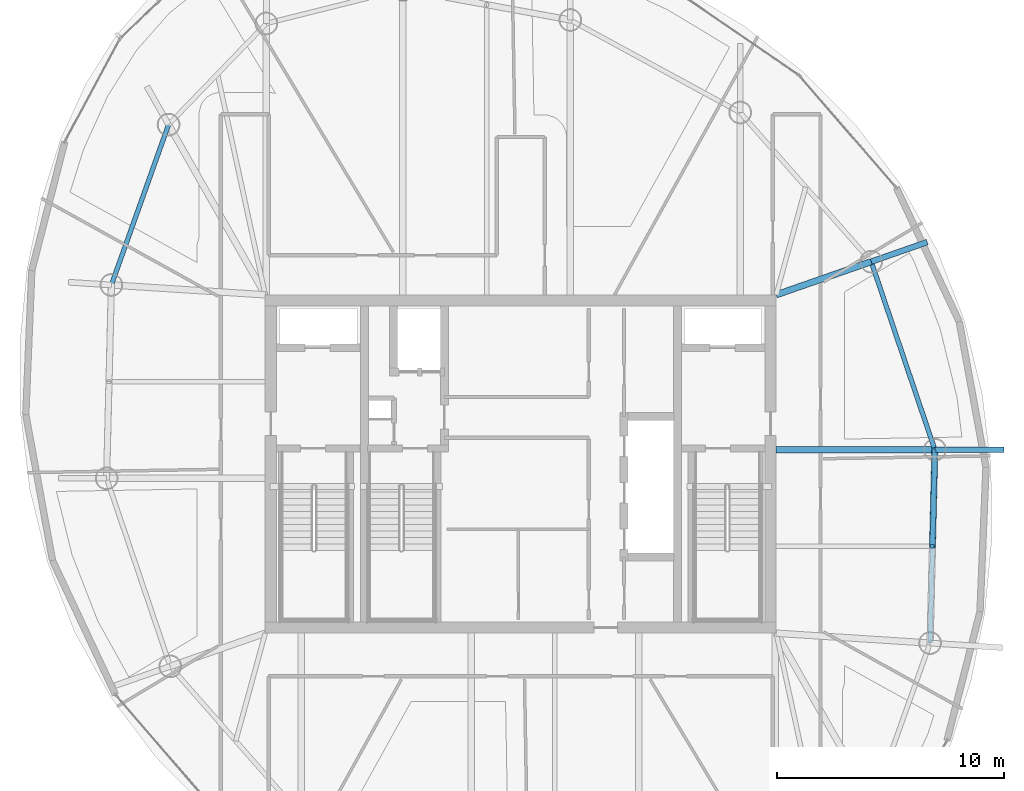
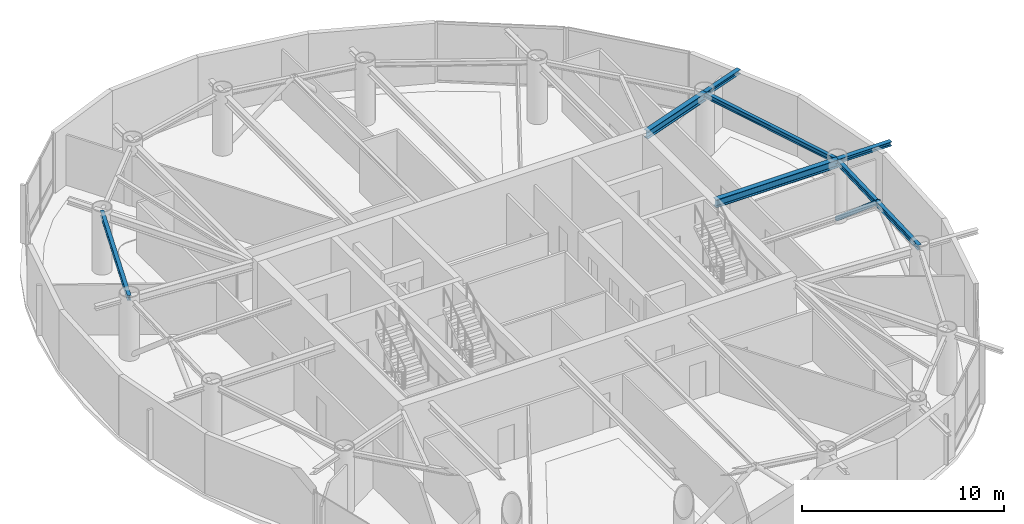
# One storey, part 6 of 16: 7 beams, 1 member.
"""IFC4 building model written with IfcOpenShell, lengths in metres."""

from ifc_helpers import new_model, si_unit, direction, frame, origin, origin_2d, place, context, subcontext, project, spatial, hollow_circle, i_section, extrude, material, material_profile, profile_set, type_object, element, save


model = new_model("IFC4")

# Units and contexts
model_context = context("Model", 3, precision=1e-05, world=origin(), true_north=direction((0.0, 1.0)))
body_context = subcontext(model_context, "Body", "Model", "MODEL_VIEW")
ifc_project = project(units=[si_unit("LENGTHUNIT", "METRE"), si_unit("AREAUNIT", "SQUARE_METRE"), si_unit("VOLUMEUNIT", "CUBIC_METRE"), si_unit("PLANEANGLEUNIT", "RADIAN"), si_unit("MASSUNIT", "GRAM", prefix="KILO")], contexts=[model_context])

# Site, building, storey
site_placement = place(None, origin())
site = spatial("IfcSite", under=ifc_project, at=site_placement, CompositionType="ELEMENT")
building_placement = place(site_placement, origin())
building = spatial("IfcBuilding", under=site, at=building_placement, Name="Bramvorn Convention Spire", CompositionType="ELEMENT")
storey_placement = place(building_placement, frame((0.0, 0.0, 261.300048828125)))
storey = spatial("IfcBuildingStorey", under=building, at=storey_placement, Name="L66", CompositionType="ELEMENT", Elevation=261.300048828125)

# Beams
ifc_material = material(Name="Steel CSA G40.21 Grade 350 (350W)", Category="steel")
ifc_material_profile_1 = material_profile(ifc_material, i_section(OverallWidth=0.25390625, OverallDepth=0.2529296875, WebThickness=0.008544921875, FlangeThickness=0.01416015625, FilletRadius=0.011962890625, at=origin_2d()))
ifc_profile_set_1 = profile_set([ifc_material_profile_1], Name="Steel CSA G40.21 Grade 350 (350W) - W250X73")
beam_type_1 = type_object("IfcBeamType", Name="BM-W250X73", PredefinedType="BEAM", material=ifc_profile_set_1)
beam_1_placement = place(storey_placement, frame((56.234619140625, 26.62939453125, 3.49853515625), z_axis=(1.0, 0.0, 0.0), x_axis=(0.0, 1.0, 0.0)))
element("IfcBeam", 1, at=beam_1_placement, inside=storey, type_object=beam_type_1, Name="L66 slab-edge cantilever tip beam MC04", PredefinedType="BEAM", context=body_context, shape_type="SweptSolid", body=[
    extrude(i_section(OverallWidth=0.25390625, OverallDepth=0.2529296875, WebThickness=0.008544921875, FlangeThickness=0.01416015625, FilletRadius=0.011962890625, at=origin_2d()), origin(), (0.0, 0.0, 1.0), 3.04443359375),
])
beam_2_placement = place(storey_placement, frame((53.4326171875, 34.909912109375, 3.49853515625), z_axis=(0.944108841338, 0.329633881311, 0.0), x_axis=(-0.329633881311, 0.944108841338, 0.0)))
element("IfcBeam", 2, at=beam_2_placement, inside=storey, type_object=beam_type_1, Name="L66 slab-edge cantilever tip beam MC05", PredefinedType="BEAM", context=body_context, shape_type="SweptSolid", body=[
    extrude(i_section(OverallWidth=0.25390625, OverallDepth=0.2529296875, WebThickness=0.008544921875, FlangeThickness=0.01416015625, FilletRadius=0.011962890625, at=origin_2d()), origin(), (0.0, 0.0, 1.0), 2.61083984375),
])
ifc_material_profile_2 = material_profile(ifc_material, i_section(OverallWidth=0.202880859375, OverallDepth=0.302978515625, WebThickness=0.007568359375, FlangeThickness=0.01318359375, FilletRadius=0.013916015625, at=origin_2d()))
ifc_profile_set_2 = profile_set([ifc_material_profile_2], Name="Steel CSA G40.21 Grade 350 (350W) - W310X60")
beam_type_2 = type_object("IfcBeamType", Name="BM-W310X60", PredefinedType="JOIST", material=ifc_profile_set_2)
beam_3_placement = place(storey_placement, frame((56.023681640625, 18.116455078125, 3.473388671875), z_axis=(0.024770853371, 0.999693155335, 0.0), x_axis=(-0.999693155335, 0.024770853371, 0.0)))
element("IfcBeam", 3, at=beam_3_placement, inside=storey, type_object=beam_type_2, Name="L66 mega-column ring beam 03", PredefinedType="JOIST", context=body_context, shape_type="SweptSolid", body=[
    extrude(i_section(OverallWidth=0.202880859375, OverallDepth=0.302978515625, WebThickness=0.007568359375, FlangeThickness=0.01318359375, FilletRadius=0.013916015625, at=origin_2d()), origin(), (0.0, 0.0, 1.0), 8.515625),
])
beam_4_placement = place(storey_placement, frame((56.234619140625, 26.62939453125, 3.473388671875), z_axis=(-0.320531023763, 0.947238018032, 0.0), x_axis=(-0.947238018032, -0.320531023763, 0.0)))
element("IfcBeam", 4, at=beam_4_placement, inside=storey, type_object=beam_type_2, Name="L66 mega-column ring beam 04", PredefinedType="JOIST", context=body_context, shape_type="SweptSolid", body=[
    extrude(i_section(OverallWidth=0.202880859375, OverallDepth=0.302978515625, WebThickness=0.007568359375, FlangeThickness=0.01318359375, FilletRadius=0.013916015625, at=origin_2d()), origin(), (0.0, 0.0, 1.0), 8.74169921875),
])
beam_5_placement = place(storey_placement, frame((22.49365234375, 40.94384765625, 3.473388671875), z_axis=(-0.335839090413, -0.941919373063, 0.0), x_axis=(0.941919373063, -0.335839090413, 0.0)))
element("IfcBeam", 5, at=beam_5_placement, inside=storey, type_object=beam_type_2, Name="L66 mega-column ring beam 10", PredefinedType="JOIST", context=body_context, shape_type="SweptSolid", body=[
    extrude(i_section(OverallWidth=0.202880859375, OverallDepth=0.302978515625, WebThickness=0.007568359375, FlangeThickness=0.01318359375, FilletRadius=0.013916015625, at=origin_2d()), origin(), (0.0, 0.0, 1.0), 7.49560546875),
])
ifc_material_profile_3 = material_profile(ifc_material, i_section(OverallWidth=0.283935546875, OverallDepth=0.47607421875, WebThickness=0.014892578125, FlangeThickness=0.02392578125, FilletRadius=0.01806640625, at=origin_2d()))
ifc_profile_set_3 = profile_set([ifc_material_profile_3], Name="Steel CSA G40.21 Grade 350 (350W) - W460X158")
beam_type_3 = type_object("IfcBeamType", Name="BM-W460X158", PredefinedType="SPANDREL", material=ifc_profile_set_3)
beam_6_placement = place(storey_placement, frame((49.25, 26.62939453125, 3.386962890625), z_axis=(1.0, 0.0, 0.0), x_axis=(0.0, 1.0, 0.0)))
element("IfcBeam", 6, at=beam_6_placement, inside=storey, type_object=beam_type_3, Name="L66 radial floor girder MC04", PredefinedType="SPANDREL", context=body_context, shape_type="SweptSolid", body=[
    extrude(i_section(OverallWidth=0.283935546875, OverallDepth=0.47607421875, WebThickness=0.014892578125, FlangeThickness=0.02392578125, FilletRadius=0.01806640625, at=origin_2d()), origin(), (0.0, 0.0, 1.0), 6.984619140625),
])
beam_7_placement = place(storey_placement, frame((49.25, 33.449951171875, 3.386962890625), z_axis=(0.944136391877, 0.329554962843, 0.0), x_axis=(-0.329554962843, 0.944136391877, 0.0)))
element("IfcBeam", 7, at=beam_7_placement, inside=storey, type_object=beam_type_3, Name="L66 radial floor girder MC05", PredefinedType="SPANDREL", context=body_context, shape_type="SweptSolid", body=[
    extrude(i_section(OverallWidth=0.283935546875, OverallDepth=0.47607421875, WebThickness=0.014892578125, FlangeThickness=0.02392578125, FilletRadius=0.01806640625, at=origin_2d()), origin(), (0.0, 0.0, 1.0), 4.43017578125),
])

# Member
ifc_material_profile_4 = material_profile(ifc_material, hollow_circle(Radius=0.136474609375, WallThickness=0.0126953125, at=origin_2d()))
ifc_profile_set_4 = profile_set([ifc_material_profile_4], Name="Steel CSA G40.21 Grade 350 (350W) - CHS273X13")
member_type = type_object("IfcMemberType", Name="MBR-CHS273X13", PredefinedType="BRACE", material=ifc_profile_set_4)
member_placement = place(storey_placement, frame((56.234619140625, 26.62939453125, 0.0), z_axis=(-0.018861318661, -0.761176457245, 0.64827050804), x_axis=(0.999693137742, -0.024771563353, 0.0)))
element("IfcMember", 8, at=member_placement, inside=storey, type_object=member_type, Name="L66 perimeter Gothic lancet brace 3B", PredefinedType="BRACE", context=body_context, shape_type="SweptSolid", body=[
    extrude(hollow_circle(Radius=0.136474609375, WallThickness=0.0126953125, at=origin_2d()), origin(), (0.0, 0.0, 1.0), 5.591796875),
])

save(model, "model.ifc")
